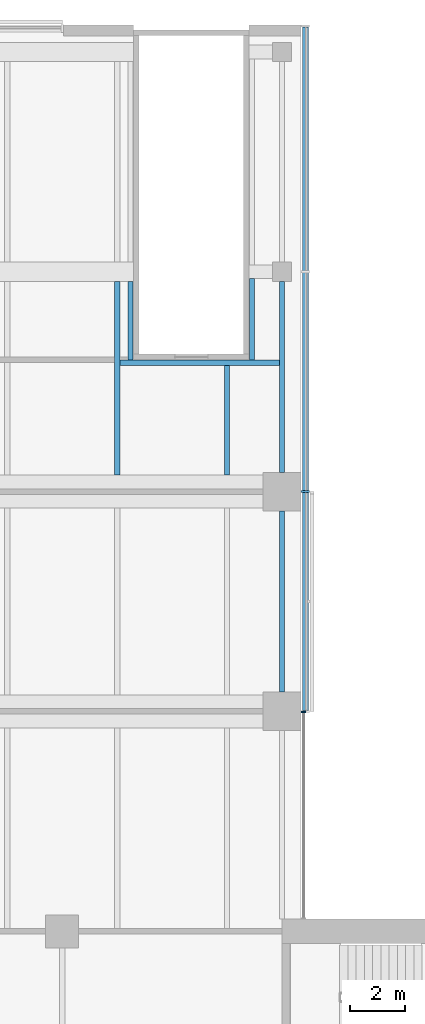
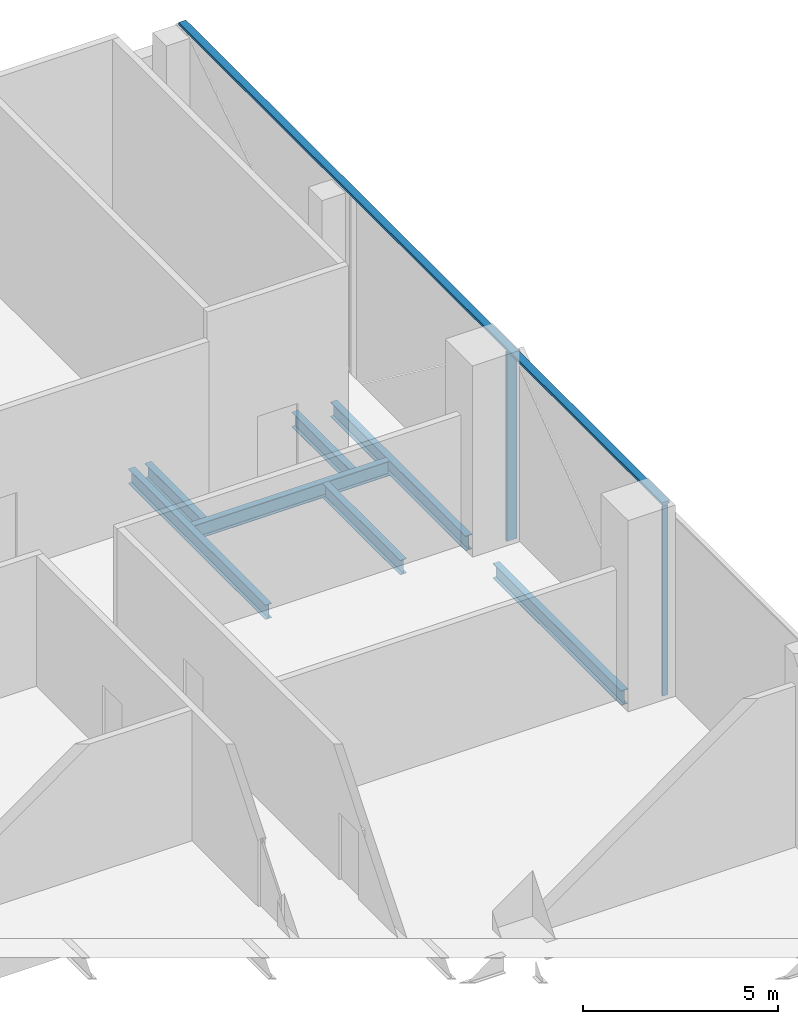
# One storey, part 10 of 23: 7 beams, 3 members, 2 elements without a shape of their own.
"""IFC4 building model written with IfcOpenShell, lengths in metres."""

from ifc_helpers import new_model, si_unit, direction, frame, origin, origin_2d, place, context, subcontext, project, spatial, rectangle, i_section, extrude, material, material_profile, profile_set, type_object, element, aggregate, save


model = new_model("IFC4")

# Units and contexts
model_context = context("Model", 3, precision=1e-05, world=origin(), true_north=direction((0.0, 1.0)))
body_context = subcontext(model_context, "Body", "Model", "MODEL_VIEW")
ifc_project = project(units=[si_unit("LENGTHUNIT", "METRE"), si_unit("AREAUNIT", "SQUARE_METRE"), si_unit("VOLUMEUNIT", "CUBIC_METRE"), si_unit("PLANEANGLEUNIT", "RADIAN"), si_unit("MASSUNIT", "GRAM", prefix="KILO")], contexts=[model_context])

# Site, building, storey
site_placement = place(None, origin())
site = spatial("IfcSite", under=ifc_project, at=site_placement, CompositionType="ELEMENT")
building_placement = place(site_placement, origin())
building = spatial("IfcBuilding", under=site, at=building_placement, Name="Crosswind Convention Tower", CompositionType="ELEMENT")
storey_placement = place(building_placement, frame((0.0, 0.0, 41.5)))
storey = spatial("IfcBuildingStorey", under=building, at=storey_placement, Name="L05", CompositionType="ELEMENT", Elevation=41.5)

# Beams
ifc_material_1 = material(Name="Steel S355", Category="steel")
ifc_material_profile_1 = material_profile(ifc_material_1, i_section(OverallWidth=0.19287109375, OverallDepth=0.467529296875, WebThickness=0.011474609375, FlangeThickness=0.01953125, FilletRadius=0.01025390625, at=origin_2d()), Name="UB 457x191x98")
ifc_profile_set_1 = profile_set([ifc_material_profile_1], Name="Steel S355")
beam_type_1 = type_object("IfcBeamType", Name="Edge beam UB 457x191x98", PredefinedType="SPANDREL", material=ifc_profile_set_1)
beam_1_placement = place(storey_placement, frame((137.0, 120.699951171875, -0.6337890625), z_axis=(0.0, 1.0, 0.0), x_axis=(-1.0, 0.0, 0.0)))
element("IfcBeam", 1, at=beam_1_placement, inside=storey, type_object=beam_type_1, Name="B20 L05 edge beam 18", PredefinedType="SPANDREL", context=body_context, shape_type="SweptSolid", body=[
    extrude(i_section(OverallWidth=0.19287109375, OverallDepth=0.467529296875, WebThickness=0.011474609375, FlangeThickness=0.01953125, FilletRadius=0.01025390625, at=origin_2d()), origin(), (0.0, 0.0, 1.0), 6.60009765625),
])
beam_2_placement = place(storey_placement, frame((137.0, 128.699951171875, -0.6337890625), z_axis=(0.0, 1.0, 0.0), x_axis=(-1.0, 0.0, 0.0)))
element("IfcBeam", 2, at=beam_2_placement, inside=storey, type_object=beam_type_1, Name="B20 L05 edge beam 19", PredefinedType="SPANDREL", context=body_context, shape_type="SweptSolid", body=[
    extrude(i_section(OverallWidth=0.19287109375, OverallDepth=0.467529296875, WebThickness=0.011474609375, FlangeThickness=0.01953125, FilletRadius=0.01025390625, at=origin_2d()), origin(), (0.0, 0.0, 1.0), 6.949951171875),
])

# Curtain wall, member
ifc_material_2 = material(Name="Aluminium unitised curtain wall", Category="aluminium")
curtain_wall_type_1 = type_object("IfcCurtainWallType", Name="CORE END SLOT WALL 160", PredefinedType="USERDEFINED", material=ifc_material_2)
curtain_wall_1_placement = place(storey_placement, origin())
curtain_wall_1 = element("IfcCurtainWall", 3, at=curtain_wall_1_placement, inside=storey, type_object=curtain_wall_type_1, Name="CW6 L05 N-E.1-1 slot", ObjectType="UNITISED", PredefinedType="USERDEFINED")
ifc_material_3 = material(Name="Aluminium mullion", Category="aluminium")
ifc_material_profile_2 = material_profile(ifc_material_3, rectangle(XDim=0.159912109375, YDim=0.050048828125, at=origin_2d()), Name="AL 160X50")
ifc_profile_set_2 = profile_set([ifc_material_profile_2], Name="Aluminium mullion")
member_type_1 = type_object("IfcMemberType", Name="MULLION 50X160", PredefinedType="MULLION", material=ifc_profile_set_2)
member_1_placement = place(storey_placement, frame((137.780029296875, 119.97509765625, -0.39990234375), z_axis=(0.0, 0.0, 1.0), x_axis=(1.0, 0.0, 0.0)))
member_1 = element("IfcMember", 4, at=member_1_placement, type_object=member_type_1, Name="CW6 mullion 2", PredefinedType="MULLION", context=body_context, shape_type="SweptSolid", body=[
    extrude(rectangle(XDim=0.159912109375, YDim=0.050048828125, at=origin_2d()), origin(), (0.0, 0.0, 1.0), 5.949951171875),
])
aggregate(curtain_wall_1, [member_1])

curtain_wall_type_2 = type_object("IfcCurtainWallType", Name="PODIUM UNITISED WALL 300", PredefinedType="USERDEFINED", material=ifc_material_2)
curtain_wall_2_placement = place(storey_placement, origin())
curtain_wall_2 = element("IfcCurtainWall", 5, at=curtain_wall_2_placement, inside=storey, type_object=curtain_wall_type_2, Name="CW1 L05 N-E 1", ObjectType="UNITISED", PredefinedType="USERDEFINED")
ifc_material_profile_3 = material_profile(ifc_material_3, rectangle(XDim=0.300048828125, YDim=0.080078125, at=origin_2d()), Name="AL 300X80")
ifc_profile_set_3 = profile_set([ifc_material_profile_3], Name="Aluminium mullion")
member_type_2 = type_object("IfcMemberType", Name="MULLION 80X300", PredefinedType="MULLION", material=ifc_profile_set_3)
member_2_placement = place(storey_placement, frame((137.85009765625, 128.0, -0.39990234375), z_axis=(0.0, 0.0, 1.0), x_axis=(1.0, 0.0, 0.0)))
member_2 = element("IfcMember", 6, at=member_2_placement, type_object=member_type_2, Name="CW1 mullion 2", PredefinedType="MULLION", context=body_context, shape_type="SweptSolid", body=[
    extrude(rectangle(XDim=0.300048828125, YDim=0.080078125, at=origin_2d()), origin(), (0.0, 0.0, 1.0), 5.919921875),
])

# Beams
ifc_material_profile_4 = material_profile(ifc_material_1, i_section(OverallWidth=0.19140625, OverallDepth=0.460205078125, WebThickness=0.010009765625, FlangeThickness=0.01611328125, FilletRadius=0.01025390625, at=origin_2d()), Name="UB 457x191x82")
ifc_profile_set_4 = profile_set([ifc_material_profile_4], Name="Steel S355")
beam_type_2 = type_object("IfcBeamType", Name="Secondary beam UB 457x191x82", PredefinedType="JOIST", material=ifc_profile_set_4)
beam_3_placement = place(storey_placement, frame((131.0, 128.60009765625, -0.630126953125), z_axis=(0.0, 1.0, 0.0), x_axis=(-1.0, 0.0, 0.0)))
element("IfcBeam", 7, at=beam_3_placement, inside=storey, type_object=beam_type_2, Name="B13 L05 secondary beam 56", PredefinedType="JOIST", context=body_context, shape_type="SweptSolid", body=[
    extrude(i_section(OverallWidth=0.19140625, OverallDepth=0.460205078125, WebThickness=0.010009765625, FlangeThickness=0.01611328125, FilletRadius=0.01025390625, at=origin_2d()), origin(), (0.0, 0.0, 1.0), 7.0498046875),
])
beam_4_placement = place(storey_placement, frame((135.0, 128.60009765625, -0.630126953125), z_axis=(0.0, 1.0, 0.0), x_axis=(-1.0, 0.0, 0.0)))
element("IfcBeam", 8, at=beam_4_placement, inside=storey, type_object=beam_type_2, Name="B13 L05 secondary beam 63", PredefinedType="JOIST", context=body_context, shape_type="SweptSolid", body=[
    extrude(i_section(OverallWidth=0.19140625, OverallDepth=0.460205078125, WebThickness=0.010009765625, FlangeThickness=0.01611328125, FilletRadius=0.01025390625, at=origin_2d()), origin(), (0.0, 0.0, 1.0), 3.993896484375),
])

# Member
ifc_material_4 = material(Name="Aluminium transom", Category="aluminium")
ifc_material_profile_5 = material_profile(ifc_material_4, rectangle(XDim=0.219970703125, YDim=0.080078125, at=origin_2d()), Name="AL 220X80")
ifc_profile_set_5 = profile_set([ifc_material_profile_5], Name="Aluminium transom")
member_type_3 = type_object("IfcMemberType", Name="TRANSOM 80X220", PredefinedType="USERDEFINED", material=ifc_profile_set_5)
member_3_placement = place(storey_placement, frame((137.85009765625, 120.0400390625, 5.56005859375), z_axis=(0.0, 1.0, 0.0), x_axis=(-1.0, 0.0, 0.0)))
member_3 = element("IfcMember", 9, at=member_3_placement, type_object=member_type_3, Name="CW1 transom", ObjectType="TRANSOM", PredefinedType="USERDEFINED", context=body_context, shape_type="SweptSolid", body=[
    extrude(rectangle(XDim=0.219970703125, YDim=0.080078125, at=origin_2d()), origin(), (0.0, 0.0, 1.0), 24.864990234375),
])

aggregate(curtain_wall_2, [member_2, member_3])

# Beams
ifc_material_profile_6 = material_profile(ifc_material_1, i_section(OverallWidth=0.19189453125, OverallDepth=0.463623046875, WebThickness=0.010498046875, FlangeThickness=0.017578125, FilletRadius=0.01025390625, at=origin_2d()), Name="UB 457x191x90")
ifc_profile_set_6 = profile_set([ifc_material_profile_6], Name="Steel S355")
beam_type_3 = type_object("IfcBeamType", Name="Trimmer beam UB 457x191x90", PredefinedType="BEAM", material=ifc_profile_set_6)
beam_5_placement = place(storey_placement, frame((131.095703125, 132.68994140625, -0.6318359375), z_axis=(1.0, 0.0, 0.0), x_axis=(0.0, 1.0, 0.0)))
element("IfcBeam", 10, at=beam_5_placement, inside=storey, type_object=beam_type_3, Name="B33 L05 trimmer beam 22", PredefinedType="BEAM", context=body_context, shape_type="SweptSolid", body=[
    extrude(i_section(OverallWidth=0.19189453125, OverallDepth=0.463623046875, WebThickness=0.010498046875, FlangeThickness=0.017578125, FilletRadius=0.01025390625, at=origin_2d()), origin(), (0.0, 0.0, 1.0), 5.807861328125),
])
beam_6_placement = place(storey_placement, frame((131.489990234375, 132.785888671875, -0.6318359375), z_axis=(0.0, 1.0, 0.0), x_axis=(-1.0, 0.0, 0.0)))
element("IfcBeam", 11, at=beam_6_placement, inside=storey, type_object=beam_type_3, Name="B33 L05 trimmer beam 25", PredefinedType="BEAM", context=body_context, shape_type="SweptSolid", body=[
    extrude(i_section(OverallWidth=0.19189453125, OverallDepth=0.463623046875, WebThickness=0.010498046875, FlangeThickness=0.017578125, FilletRadius=0.01025390625, at=origin_2d()), origin(), (0.0, 0.0, 1.0), 2.864013671875),
])
beam_7_placement = place(storey_placement, frame((135.909912109375, 132.785888671875, -0.6318359375), z_axis=(0.0, 1.0, 0.0), x_axis=(-1.0, 0.0, 0.0)))
element("IfcBeam", 12, at=beam_7_placement, inside=storey, type_object=beam_type_3, Name="B33 L05 trimmer beam 29", PredefinedType="BEAM", context=body_context, shape_type="SweptSolid", body=[
    extrude(i_section(OverallWidth=0.19189453125, OverallDepth=0.463623046875, WebThickness=0.010498046875, FlangeThickness=0.017578125, FilletRadius=0.01025390625, at=origin_2d()), origin(), (0.0, 0.0, 1.0), 2.964111328125),
])

save(model, "model.ifc")
